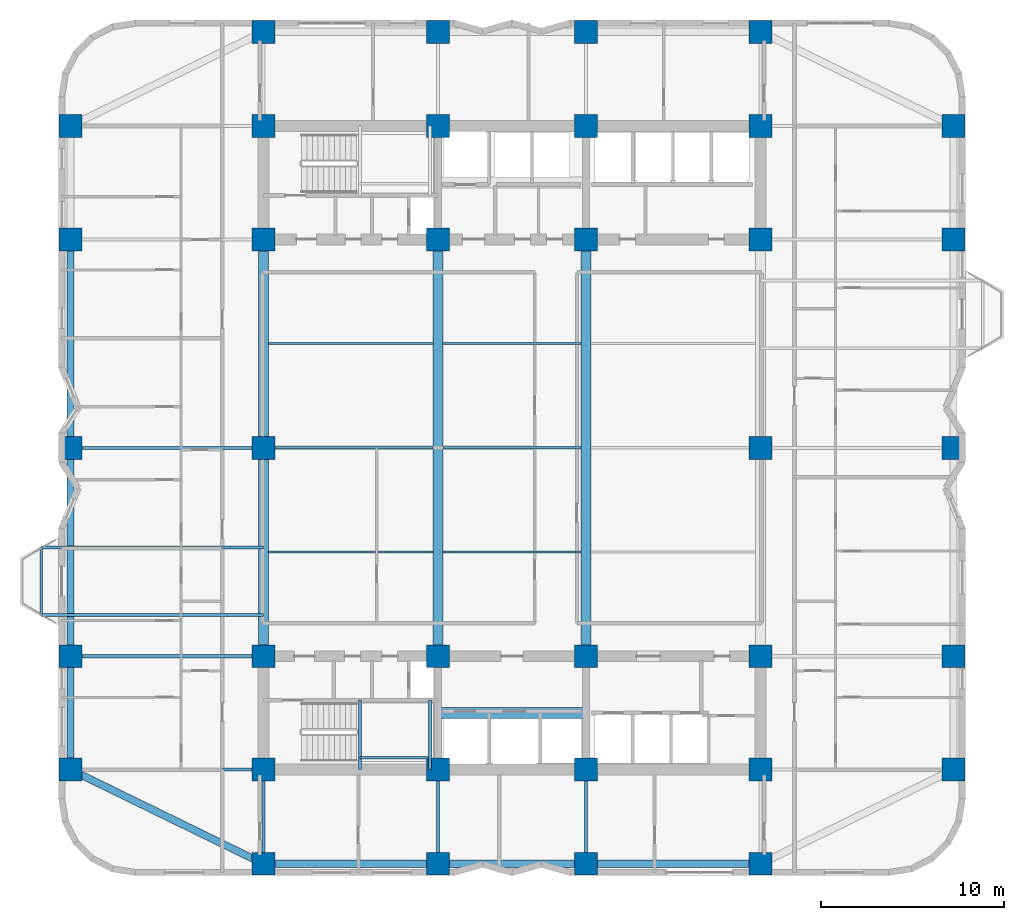
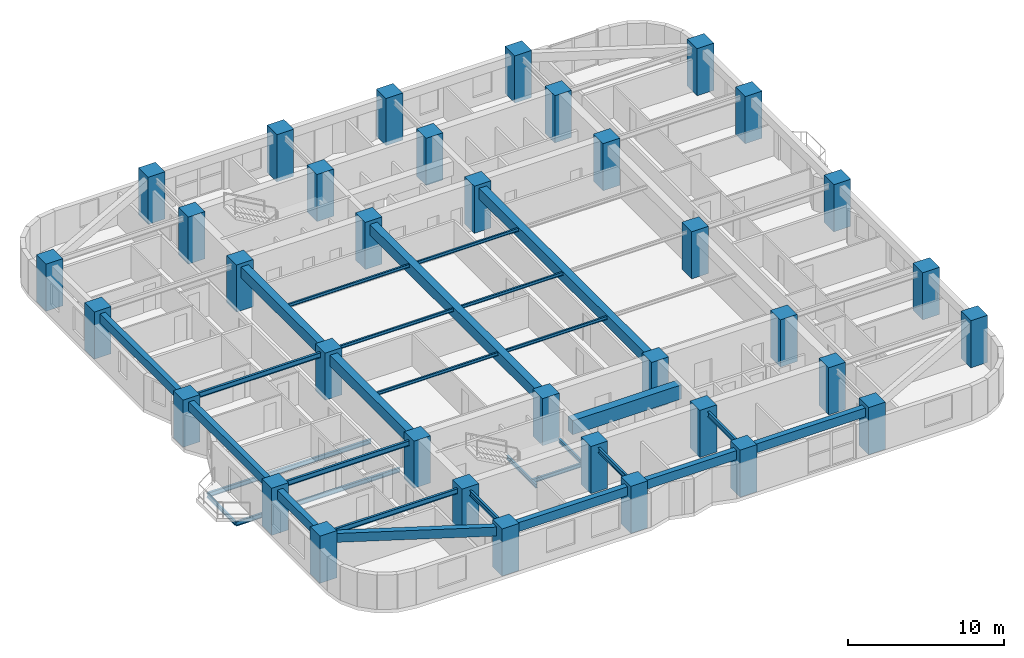
# One storey, part 1 of 13: 36 columns, 30 beams.
"""IFC4 building model written with IfcOpenShell, lengths in metres."""

from ifc_helpers import new_model, si_unit, direction, frame, origin, origin_2d, place, context, subcontext, project, spatial, rectangle, i_section, extrude, material, material_profile, profile_set, type_object, element, save


model = new_model("IFC4")

# Units and contexts
model_context = context("Model", 3, precision=1e-05, world=origin(), true_north=direction((0.0, 1.0)))
body_context = subcontext(model_context, "Body", "Model", "MODEL_VIEW")
ifc_project = project(units=[si_unit("LENGTHUNIT", "METRE"), si_unit("AREAUNIT", "SQUARE_METRE"), si_unit("VOLUMEUNIT", "CUBIC_METRE"), si_unit("PLANEANGLEUNIT", "RADIAN"), si_unit("MASSUNIT", "GRAM", prefix="KILO")], contexts=[model_context])

# Site, building, storey
site_placement = place(None, origin())
site = spatial("IfcSite", under=ifc_project, at=site_placement, CompositionType="ELEMENT")
building_placement = place(site_placement, origin())
building = spatial("IfcBuilding", under=site, at=building_placement, Name="Svetorya Sky Lyceum", CompositionType="ELEMENT")
storey_placement = place(building_placement, frame((0.0, 0.0, 39.89990234375)))
storey = spatial("IfcBuildingStorey", under=building, at=storey_placement, Name="L09", CompositionType="ELEMENT", Elevation=39.89990234375)

# Columns
ifc_material_1 = material(Name="Concrete C60/75", Category="concrete")
ifc_material_profile_1 = material_profile(ifc_material_1, rectangle(XDim=1.25, YDim=1.25, at=origin_2d()), Name="RC COL 1250x1250")
ifc_profile_set_1 = profile_set([ifc_material_profile_1], Name="Concrete C60/75")
column_type = type_object("IfcColumnType", Name="COL-RC-1250", PredefinedType="COLUMN", material=ifc_profile_set_1)
for number, where, z_axis, x_axis, name in (
    (1, (25.60009765625, 10.60009765625, 0.0), (0.0, 0.0, 1.0), (1.0, 0.0, 0.0), "L09 Core Column CS-11"),
    (2, (25.60009765625, 16.800048828125, 0.0), (0.0, 0.0, 1.0), (1.0, 0.0, 0.0), "L09 Core Column CS-12"),
    (3, (35.14990234375, 10.60009765625, 0.0), (0.0, 0.0, 1.0), (1.0, 0.0, 0.0), "L09 Core Column CS-21"),
    (4, (35.14990234375, 16.800048828125, 0.0), (0.0, 0.0, 1.0), (1.0, 0.0, 0.0), "L09 Core Column CS-22"),
    (5, (43.25, 10.60009765625, 0.0), (0.0, 0.0, 1.0), (1.0, 0.0, 0.0), "L09 Core Column CS-31"),
    (6, (43.25, 16.800048828125, 0.0), (0.0, 0.0, 1.0), (1.0, 0.0, 0.0), "L09 Core Column CS-32"),
    (7, (52.800048828125, 10.60009765625, 0.0), (0.0, 0.0, 1.0), (1.0, 0.0, 0.0), "L09 Core Column CS-41"),
    (8, (52.800048828125, 16.800048828125, 0.0), (0.0, 0.0, 1.0), (1.0, 0.0, 0.0), "L09 Core Column CS-42"),
    (9, (25.60009765625, 39.60009765625, 0.0), (0.0, 0.0, 1.0), (1.0, 0.0, 0.0), "L09 Core Column CN-11"),
    (10, (25.60009765625, 45.800048828125, 0.0), (0.0, 0.0, 1.0), (1.0, 0.0, 0.0), "L09 Core Column CN-12"),
    (11, (35.14990234375, 39.60009765625, 0.0), (0.0, 0.0, 1.0), (1.0, 0.0, 0.0), "L09 Core Column CN-21"),
    (12, (35.14990234375, 45.800048828125, 0.0), (0.0, 0.0, 1.0), (1.0, 0.0, 0.0), "L09 Core Column CN-22"),
    (13, (43.25, 39.60009765625, 0.0), (0.0, 0.0, 1.0), (1.0, 0.0, 0.0), "L09 Core Column CN-31"),
    (14, (43.25, 45.800048828125, 0.0), (0.0, 0.0, 1.0), (1.0, 0.0, 0.0), "L09 Core Column CN-32"),
    (15, (52.800048828125, 39.60009765625, 0.0), (0.0, 0.0, 1.0), (1.0, 0.0, 0.0), "L09 Core Column CN-41"),
    (16, (52.800048828125, 45.800048828125, 0.0), (0.0, 0.0, 1.0), (1.0, 0.0, 0.0), "L09 Core Column CN-42"),
    (17, (25.60009765625, 28.199951171875, 0.0), (0.0, 0.0, 1.0), (1.0, 0.0, 0.0), "L09 Core Column CM-W"),
    (18, (52.800048828125, 28.199951171875, 0.0), (0.0, 0.0, 1.0), (1.0, 0.0, 0.0), "L09 Core Column CM-E"),
    (19, (25.60009765625, 5.449951171875, 0.0), (0.0, 0.0, 1.0), (1.0, 0.0, 0.0), "L09 Perimeter Column S1"),
    (20, (25.60009765625, 50.949951171875, 0.0), (0.0, 0.0, 1.0), (1.0, 0.0, 0.0), "L09 Perimeter Column N1"),
    (21, (35.14990234375, 5.449951171875, 0.0), (0.0, 0.0, 1.0), (1.0, 0.0, 0.0), "L09 Perimeter Column S2"),
    (22, (35.14990234375, 50.949951171875, 0.0), (0.0, 0.0, 1.0), (1.0, 0.0, 0.0), "L09 Perimeter Column N2"),
    (23, (43.25, 5.449951171875, 0.0), (0.0, 0.0, 1.0), (1.0, 0.0, 0.0), "L09 Perimeter Column S3"),
    (24, (43.25, 50.949951171875, 0.0), (0.0, 0.0, 1.0), (1.0, 0.0, 0.0), "L09 Perimeter Column N3"),
    (25, (52.800048828125, 5.449951171875, 0.0), (0.0, 0.0, 1.0), (1.0, 0.0, 0.0), "L09 Perimeter Column S4"),
    (26, (52.800048828125, 50.949951171875, 0.0), (0.0, 0.0, 1.0), (1.0, 0.0, 0.0), "L09 Perimeter Column N4"),
    (27, (15.050048828125, 10.60009765625, 0.0), (0.0, 0.0, 1.0), (1.0, 0.0, 0.0), "L09 Perimeter Column W1"),
    (28, (63.35009765625, 10.60009765625, 0.0), (0.0, 0.0, 1.0), (1.0, 0.0, 0.0), "L09 Perimeter Column E1"),
    (29, (15.050048828125, 16.800048828125, 0.0), (0.0, 0.0, 1.0), (1.0, 0.0, 0.0), "L09 Perimeter Column W2"),
    (30, (63.35009765625, 16.800048828125, 0.0), (0.0, 0.0, 1.0), (1.0, 0.0, 0.0), "L09 Perimeter Column E2"),
    (31, (15.050048828125, 28.199951171875, 0.0), (0.0, 0.0, 1.0), (1.0, 0.0, 0.0), "L09 Perimeter Column W3"),
    (32, (63.35009765625, 28.199951171875, 0.0), (0.0, 0.0, 1.0), (1.0, 0.0, 0.0), "L09 Perimeter Column E3"),
    (33, (15.050048828125, 39.60009765625, 0.0), (0.0, 0.0, 1.0), (1.0, 0.0, 0.0), "L09 Perimeter Column W4"),
    (34, (63.35009765625, 39.60009765625, 0.0), (0.0, 0.0, 1.0), (1.0, 0.0, 0.0), "L09 Perimeter Column E4"),
    (35, (15.050048828125, 45.800048828125, 0.0), (0.0, 0.0, 1.0), (1.0, 0.0, 0.0), "L09 Perimeter Column W5"),
    (36, (63.35009765625, 45.800048828125, 0.0), (0.0, 0.0, 1.0), (1.0, 0.0, 0.0), "L09 Perimeter Column E5"),
):
    element("IfcColumn", number, at=place(storey_placement, frame(where, z_axis=z_axis, x_axis=x_axis)), inside=storey, type_object=column_type, Name=name, PredefinedType="COLUMN", context=body_context, shape_type="SweptSolid", body=[
        extrude(rectangle(XDim=1.25, YDim=1.25, at=origin_2d()), origin(), (0.0, 0.0, 1.0), 3.7001953125),
    ])

# Beams
ifc_material_profile_2 = material_profile(ifc_material_1, rectangle(XDim=0.60009765625, YDim=1.10009765625, at=origin_2d()), Name="RC COUPLING 600x1100")
ifc_profile_set_2 = profile_set([ifc_material_profile_2], Name="Concrete C60/75")
beam_type_1 = type_object("IfcBeamType", Name="BM-CPL-1100", PredefinedType="LINTEL", material=ifc_profile_set_2)
beam_1_placement = place(storey_placement, frame((35.14990234375, 13.699951171875, 2.8701171875), z_axis=(1.0, 0.0, 0.0), x_axis=(0.0, 1.0, 0.0)))
element("IfcBeam", 37, at=beam_1_placement, inside=storey, type_object=beam_type_1, Name="L09 SC Core Coupling Beam", PredefinedType="LINTEL", context=body_context, shape_type="SweptSolid", body=[
    extrude(rectangle(XDim=0.60009765625, YDim=1.10009765625, at=origin_2d()), origin(), (0.0, 0.0, 1.0), 8.10009765625),
])
ifc_material_2 = material(Name="Concrete C50/60", Category="concrete")
ifc_material_profile_3 = material_profile(ifc_material_2, rectangle(XDim=0.550048828125, YDim=0.85009765625, at=origin_2d()), Name="RC BEAM 550x850")
ifc_profile_set_3 = profile_set([ifc_material_profile_3], Name="Concrete C50/60")
beam_type_2 = type_object("IfcBeamType", Name="BM-RC-850", PredefinedType="BEAM", material=ifc_profile_set_3)
beam_2_placement = place(storey_placement, frame((25.60009765625, 16.800048828125, 2.9951171875), z_axis=(0.0, 1.0, 0.0), x_axis=(-1.0, 0.0, 0.0)))
element("IfcBeam", 38, at=beam_2_placement, inside=storey, type_object=beam_type_2, Name="L09 Central Bay Primary Girder CG-1A", PredefinedType="BEAM", context=body_context, shape_type="SweptSolid", body=[
    extrude(rectangle(XDim=0.550048828125, YDim=0.85009765625, at=origin_2d()), origin(), (0.0, 0.0, 1.0), 11.39990234375),
])
beam_3_placement = place(storey_placement, frame((25.60009765625, 28.199951171875, 2.9951171875), z_axis=(0.0, 1.0, 0.0), x_axis=(-1.0, 0.0, 0.0)))
element("IfcBeam", 39, at=beam_3_placement, inside=storey, type_object=beam_type_2, Name="L09 Central Bay Primary Girder CG-1B", PredefinedType="BEAM", context=body_context, shape_type="SweptSolid", body=[
    extrude(rectangle(XDim=0.550048828125, YDim=0.85009765625, at=origin_2d()), origin(), (0.0, 0.0, 1.0), 11.400146484375),
])
for number, where, z_axis, x_axis, name in (
    (40, (35.14990234375, 16.800048828125, 2.9951171875), (0.0, 1.0, 0.0), (-1.0, 0.0, 0.0), "L09 Central Bay Primary Girder CG-2"),
    (41, (43.25, 16.800048828125, 2.9951171875), (0.0, 1.0, 0.0), (-1.0, 0.0, 0.0), "L09 Central Bay Primary Girder CG-3"),
):
    element("IfcBeam", number, at=place(storey_placement, frame(where, z_axis=z_axis, x_axis=x_axis)), inside=storey, type_object=beam_type_2, Name=name, PredefinedType="BEAM", context=body_context, shape_type="SweptSolid", body=[
        extrude(rectangle(XDim=0.550048828125, YDim=0.85009765625, at=origin_2d()), origin(), (0.0, 0.0, 1.0), 22.800048828125),
    ])
ifc_material_profile_4 = material_profile(ifc_material_2, rectangle(XDim=0.39990234375, YDim=0.699951171875, at=origin_2d()), Name="RC SPANDREL 400x700")
ifc_profile_set_4 = profile_set([ifc_material_profile_4], Name="Concrete C50/60")
beam_type_3 = type_object("IfcBeamType", Name="BM-SPN-700", PredefinedType="SPANDREL", material=ifc_profile_set_4)
beam_4_placement = place(storey_placement, frame((25.60009765625, 5.449951171875, 3.070068359375), z_axis=(1.0, 0.0, 0.0), x_axis=(0.0, 1.0, 0.0)))
element("IfcBeam", 42, at=beam_4_placement, inside=storey, type_object=beam_type_3, Name="L09 South Spandrel 1", PredefinedType="SPANDREL", context=body_context, shape_type="SweptSolid", body=[
    extrude(rectangle(XDim=0.39990234375, YDim=0.699951171875, at=origin_2d()), origin(), (0.0, 0.0, 1.0), 9.5498046875),
])
beam_5_placement = place(storey_placement, frame((35.14990234375, 5.449951171875, 3.070068359375), z_axis=(1.0, 0.0, 0.0), x_axis=(0.0, 1.0, 0.0)))
element("IfcBeam", 43, at=beam_5_placement, inside=storey, type_object=beam_type_3, Name="L09 South Spandrel 2", PredefinedType="SPANDREL", context=body_context, shape_type="SweptSolid", body=[
    extrude(rectangle(XDim=0.39990234375, YDim=0.699951171875, at=origin_2d()), origin(), (0.0, 0.0, 1.0), 8.10009765625),
])
beam_6_placement = place(storey_placement, frame((43.25, 5.449951171875, 3.070068359375), z_axis=(1.0, 0.0, 0.0), x_axis=(0.0, 1.0, 0.0)))
element("IfcBeam", 44, at=beam_6_placement, inside=storey, type_object=beam_type_3, Name="L09 South Spandrel 3", PredefinedType="SPANDREL", context=body_context, shape_type="SweptSolid", body=[
    extrude(rectangle(XDim=0.39990234375, YDim=0.699951171875, at=origin_2d()), origin(), (0.0, 0.0, 1.0), 9.550048828125),
])
beam_7_placement = place(storey_placement, frame((25.60009765625, 5.449951171875, 3.070068359375), z_axis=(-0.898641495694, 0.438683783854, 0.0), x_axis=(-0.438683783854, -0.898641495694, 0.0)))
element("IfcBeam", 45, at=beam_7_placement, inside=storey, type_object=beam_type_3, Name="L09 Corner Spandrel 1", PredefinedType="SPANDREL", context=body_context, shape_type="SweptSolid", body=[
    extrude(rectangle(XDim=0.39990234375, YDim=0.699951171875, at=origin_2d()), origin(), (0.0, 0.0, 1.0), 11.739990234375),
])
beam_8_placement = place(storey_placement, frame((15.050048828125, 10.60009765625, 3.070068359375), z_axis=(0.0, 1.0, 0.0), x_axis=(-1.0, 0.0, 0.0)))
element("IfcBeam", 46, at=beam_8_placement, inside=storey, type_object=beam_type_3, Name="L09 West Spandrel 1", PredefinedType="SPANDREL", context=body_context, shape_type="SweptSolid", body=[
    extrude(rectangle(XDim=0.39990234375, YDim=0.699951171875, at=origin_2d()), origin(), (0.0, 0.0, 1.0), 6.199951171875),
])
beam_9_placement = place(storey_placement, frame((15.050048828125, 16.800048828125, 3.070068359375), z_axis=(0.0, 1.0, 0.0), x_axis=(-1.0, 0.0, 0.0)))
element("IfcBeam", 47, at=beam_9_placement, inside=storey, type_object=beam_type_3, Name="L09 West Spandrel 2", PredefinedType="SPANDREL", context=body_context, shape_type="SweptSolid", body=[
    extrude(rectangle(XDim=0.39990234375, YDim=0.699951171875, at=origin_2d()), origin(), (0.0, 0.0, 1.0), 11.39990234375),
])
beam_10_placement = place(storey_placement, frame((15.050048828125, 28.199951171875, 3.070068359375), z_axis=(0.0, 1.0, 0.0), x_axis=(-1.0, 0.0, 0.0)))
element("IfcBeam", 48, at=beam_10_placement, inside=storey, type_object=beam_type_3, Name="L09 West Spandrel 3", PredefinedType="SPANDREL", context=body_context, shape_type="SweptSolid", body=[
    extrude(rectangle(XDim=0.39990234375, YDim=0.699951171875, at=origin_2d()), origin(), (0.0, 0.0, 1.0), 11.400146484375),
])
ifc_material_3 = material(Name="Steel S355", Category="steel")
ifc_material_profile_5 = material_profile(ifc_material_3, i_section(OverallWidth=0.1240234375, OverallDepth=0.248046875, WebThickness=0.006103515625, FlangeThickness=0.009521484375, at=origin_2d()), Name="GOST 25B2")
ifc_profile_set_5 = profile_set([ifc_material_profile_5], Name="Steel S355")
beam_type_4 = type_object("IfcBeamType", Name="BM-STL-25B2", PredefinedType="JOIST", material=ifc_profile_set_5)
beam_11_placement = place(storey_placement, frame((25.875, 22.5, 3.296142578125), z_axis=(1.0, 0.0, 0.0), x_axis=(0.0, 1.0, 0.0)))
element("IfcBeam", 49, at=beam_11_placement, inside=storey, type_object=beam_type_4, Name="L09 Central Floor Joist CJ-1.1", PredefinedType="JOIST", context=body_context, shape_type="SweptSolid", body=[
    extrude(i_section(OverallWidth=0.1240234375, OverallDepth=0.248046875, WebThickness=0.006103515625, FlangeThickness=0.009521484375, at=origin_2d()), origin(), (0.0, 0.0, 1.0), 9.0),
])
beam_12_placement = place(storey_placement, frame((35.425048828125, 22.5, 3.296142578125), z_axis=(1.0, 0.0, 0.0), x_axis=(0.0, 1.0, 0.0)))
element("IfcBeam", 50, at=beam_12_placement, inside=storey, type_object=beam_type_4, Name="L09 Central Floor Joist CJ-1.2", PredefinedType="JOIST", context=body_context, shape_type="SweptSolid", body=[
    extrude(i_section(OverallWidth=0.1240234375, OverallDepth=0.248046875, WebThickness=0.006103515625, FlangeThickness=0.009521484375, at=origin_2d()), origin(), (0.0, 0.0, 1.0), 7.550048828125),
])
beam_13_placement = place(storey_placement, frame((25.875, 28.199951171875, 3.296142578125), z_axis=(1.0, 0.0, 0.0), x_axis=(0.0, 1.0, 0.0)))
element("IfcBeam", 51, at=beam_13_placement, inside=storey, type_object=beam_type_4, Name="L09 Central Floor Joist CJ-2.1", PredefinedType="JOIST", context=body_context, shape_type="SweptSolid", body=[
    extrude(i_section(OverallWidth=0.1240234375, OverallDepth=0.248046875, WebThickness=0.006103515625, FlangeThickness=0.009521484375, at=origin_2d()), origin(), (0.0, 0.0, 1.0), 9.0),
])
beam_14_placement = place(storey_placement, frame((35.425048828125, 28.199951171875, 3.296142578125), z_axis=(1.0, 0.0, 0.0), x_axis=(0.0, 1.0, 0.0)))
element("IfcBeam", 52, at=beam_14_placement, inside=storey, type_object=beam_type_4, Name="L09 Central Floor Joist CJ-2.2", PredefinedType="JOIST", context=body_context, shape_type="SweptSolid", body=[
    extrude(i_section(OverallWidth=0.1240234375, OverallDepth=0.248046875, WebThickness=0.006103515625, FlangeThickness=0.009521484375, at=origin_2d()), origin(), (0.0, 0.0, 1.0), 7.550048828125),
])
beam_15_placement = place(storey_placement, frame((25.875, 33.89990234375, 3.296142578125), z_axis=(1.0, 0.0, 0.0), x_axis=(0.0, 1.0, 0.0)))
element("IfcBeam", 53, at=beam_15_placement, inside=storey, type_object=beam_type_4, Name="L09 Central Floor Joist CJ-3.1", PredefinedType="JOIST", context=body_context, shape_type="SweptSolid", body=[
    extrude(i_section(OverallWidth=0.1240234375, OverallDepth=0.248046875, WebThickness=0.006103515625, FlangeThickness=0.009521484375, at=origin_2d()), origin(), (0.0, 0.0, 1.0), 9.0),
])
beam_16_placement = place(storey_placement, frame((35.425048828125, 33.89990234375, 3.296142578125), z_axis=(1.0, 0.0, 0.0), x_axis=(0.0, 1.0, 0.0)))
element("IfcBeam", 54, at=beam_16_placement, inside=storey, type_object=beam_type_4, Name="L09 Central Floor Joist CJ-3.2", PredefinedType="JOIST", context=body_context, shape_type="SweptSolid", body=[
    extrude(i_section(OverallWidth=0.1240234375, OverallDepth=0.248046875, WebThickness=0.006103515625, FlangeThickness=0.009521484375, at=origin_2d()), origin(), (0.0, 0.0, 1.0), 7.550048828125),
])
ifc_material_profile_6 = material_profile(ifc_material_3, i_section(OverallWidth=0.14990234375, OverallDepth=0.299072265625, WebThickness=0.006591796875, FlangeThickness=0.010498046875, at=origin_2d()), Name="GOST 30B2")
ifc_profile_set_6 = profile_set([ifc_material_profile_6], Name="Steel S355")
beam_type_5 = type_object("IfcBeamType", Name="BM-STL-30B2", PredefinedType="JOIST", material=ifc_profile_set_6)
beam_17_placement = place(storey_placement, frame((13.449951171875, 19.050048828125, -0.454345703125), z_axis=(0.0, 1.0, 0.0), x_axis=(-1.0, 0.0, 0.0)))
element("IfcBeam", 55, at=beam_17_placement, inside=storey, type_object=beam_type_5, Name="L09 Balcony Edge Tie BAL-W1", PredefinedType="JOIST", context=body_context, shape_type="SweptSolid", body=[
    extrude(i_section(OverallWidth=0.14990234375, OverallDepth=0.299072265625, WebThickness=0.006591796875, FlangeThickness=0.010498046875, at=origin_2d()), origin(), (0.0, 0.0, 1.0), 3.699951171875),
])
for number, where, z_axis, x_axis, name in (
    (56, (30.8798828125, 10.60009765625, 1.50048828125), (0.0, 1.0, 0.0), (-1.0, 0.0, 0.0), "L09 Stair ST-S Half-Landing Support Beam 11.1"),
    (57, (34.719970703125, 10.60009765625, 1.50048828125), (0.0, 1.0, 0.0), (-1.0, 0.0, 0.0), "L09 Stair ST-S Half-Landing Support Beam 11.2"),
):
    element("IfcBeam", number, at=place(storey_placement, frame(where, z_axis=z_axis, x_axis=x_axis)), inside=storey, type_object=beam_type_5, Name=name, PredefinedType="JOIST", context=body_context, shape_type="SweptSolid", body=[
        extrude(i_section(OverallWidth=0.14990234375, OverallDepth=0.299072265625, WebThickness=0.006591796875, FlangeThickness=0.010498046875, at=origin_2d()), origin(), (0.0, 0.0, 1.0), 3.7998046875),
    ])
beam_18_placement = place(storey_placement, frame((30.8798828125, 11.25, 1.50048828125), z_axis=(1.0, 0.0, 0.0), x_axis=(0.0, 1.0, 0.0)))
element("IfcBeam", 58, at=beam_18_placement, inside=storey, type_object=beam_type_5, Name="L09 Stair ST-S Half-Landing Cross Tie 11", PredefinedType="JOIST", context=body_context, shape_type="SweptSolid", body=[
    extrude(i_section(OverallWidth=0.14990234375, OverallDepth=0.299072265625, WebThickness=0.006591796875, FlangeThickness=0.010498046875, at=origin_2d()), origin(), (0.0, 0.0, 1.0), 3.840087890625),
])
ifc_material_profile_7 = material_profile(ifc_material_3, i_section(OverallWidth=0.155029296875, OverallDepth=0.34912109375, WebThickness=0.007080078125, FlangeThickness=0.011474609375, at=origin_2d()), Name="GOST 35B2")
ifc_profile_set_7 = profile_set([ifc_material_profile_7], Name="Steel S355")
beam_type_6 = type_object("IfcBeamType", Name="BM-STL-35B2", PredefinedType="JOIST", material=ifc_profile_set_7)
for number, where, z_axis, x_axis, name in (
    (59, (25.60009765625, 19.050048828125, -0.454345703125), (-1.0, 0.0, 0.0), (0.0, -1.0, 0.0), "L09 Balcony Cantilever Beam BAL-W1-1"),
    (60, (25.60009765625, 22.75, -0.454345703125), (-1.0, 0.0, 0.0), (0.0, -1.0, 0.0), "L09 Balcony Cantilever Beam BAL-W1-2"),
):
    element("IfcBeam", number, at=place(storey_placement, frame(where, z_axis=z_axis, x_axis=x_axis)), inside=storey, type_object=beam_type_6, Name=name, PredefinedType="JOIST", context=body_context, shape_type="SweptSolid", body=[
        extrude(i_section(OverallWidth=0.155029296875, OverallDepth=0.34912109375, WebThickness=0.007080078125, FlangeThickness=0.011474609375, at=origin_2d()), origin(), (0.0, 0.0, 1.0), 12.150146484375),
    ])
ifc_material_profile_8 = material_profile(ifc_material_3, i_section(OverallWidth=0.1650390625, OverallDepth=0.39990234375, WebThickness=0.008056640625, FlangeThickness=0.012939453125, at=origin_2d()), Name="GOST 40B2")
ifc_profile_set_8 = profile_set([ifc_material_profile_8], Name="Steel S355")
beam_type_7 = type_object("IfcBeamType", Name="BM-STL-40B2", PredefinedType="JOIST", material=ifc_profile_set_8)
for number, where, z_axis, x_axis, name in (
    (61, (15.050048828125, 10.60009765625, 3.22021484375), (1.0, 0.0, 0.0), (0.0, 1.0, 0.0), "L09 West Wing Floor Joist W1"),
    (62, (15.050048828125, 16.800048828125, 3.22021484375), (1.0, 0.0, 0.0), (0.0, 1.0, 0.0), "L09 West Wing Floor Joist W2"),
    (63, (15.050048828125, 28.199951171875, 3.22021484375), (1.0, 0.0, 0.0), (0.0, 1.0, 0.0), "L09 West Wing Floor Joist W3"),
):
    element("IfcBeam", number, at=place(storey_placement, frame(where, z_axis=z_axis, x_axis=x_axis)), inside=storey, type_object=beam_type_7, Name=name, PredefinedType="JOIST", context=body_context, shape_type="SweptSolid", body=[
        extrude(i_section(OverallWidth=0.1650390625, OverallDepth=0.39990234375, WebThickness=0.008056640625, FlangeThickness=0.012939453125, at=origin_2d()), origin(), (0.0, 0.0, 1.0), 10.550048828125),
    ])
for number, where, z_axis, x_axis, name in (
    (64, (25.60009765625, 5.449951171875, 3.22021484375), (0.0, 1.0, 0.0), (-1.0, 0.0, 0.0), "L09 South Bay Floor Girder S1"),
    (65, (35.14990234375, 5.449951171875, 3.22021484375), (0.0, 1.0, 0.0), (-1.0, 0.0, 0.0), "L09 South Bay Floor Girder S2"),
    (66, (43.25, 5.449951171875, 3.22021484375), (0.0, 1.0, 0.0), (-1.0, 0.0, 0.0), "L09 South Bay Floor Girder S3"),
):
    element("IfcBeam", number, at=place(storey_placement, frame(where, z_axis=z_axis, x_axis=x_axis)), inside=storey, type_object=beam_type_7, Name=name, PredefinedType="JOIST", context=body_context, shape_type="SweptSolid", body=[
        extrude(i_section(OverallWidth=0.1650390625, OverallDepth=0.39990234375, WebThickness=0.008056640625, FlangeThickness=0.012939453125, at=origin_2d()), origin(), (0.0, 0.0, 1.0), 5.150146484375),
    ])

save(model, "model.ifc")
